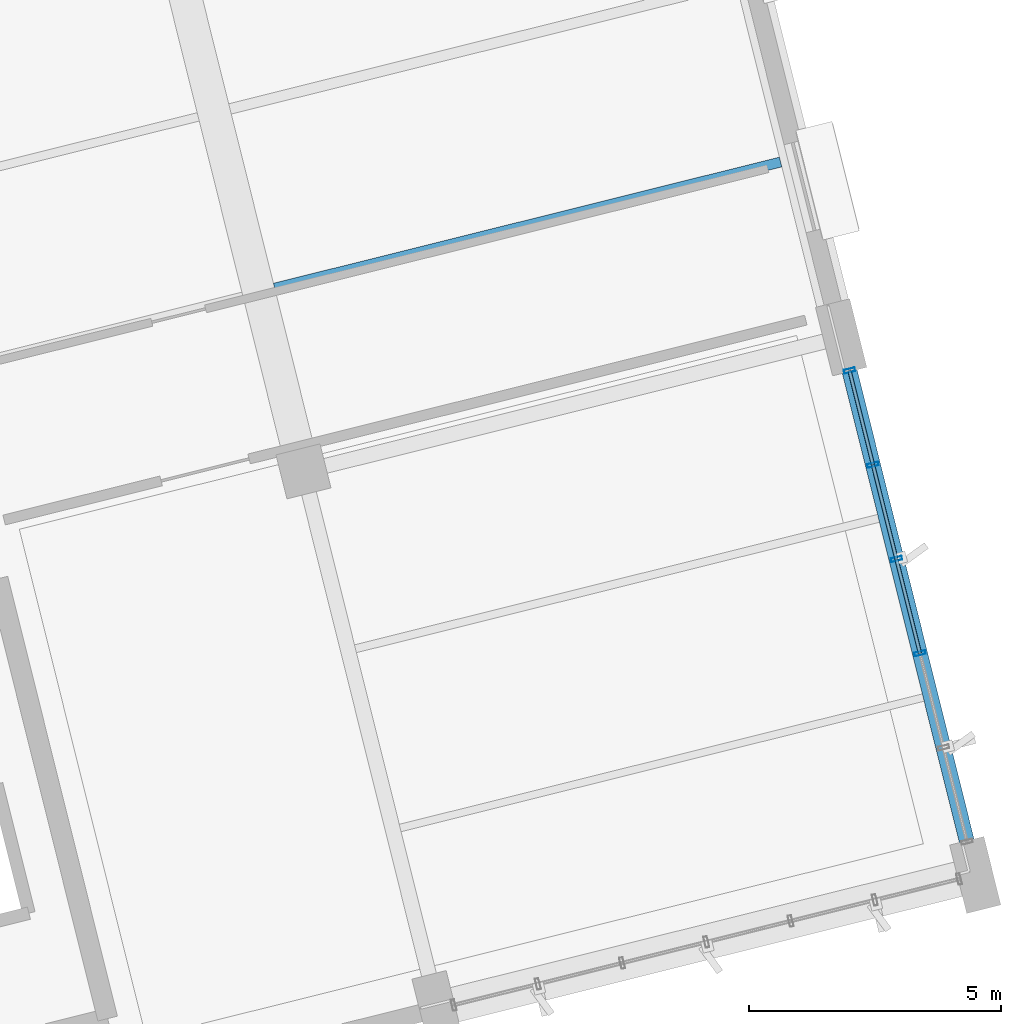
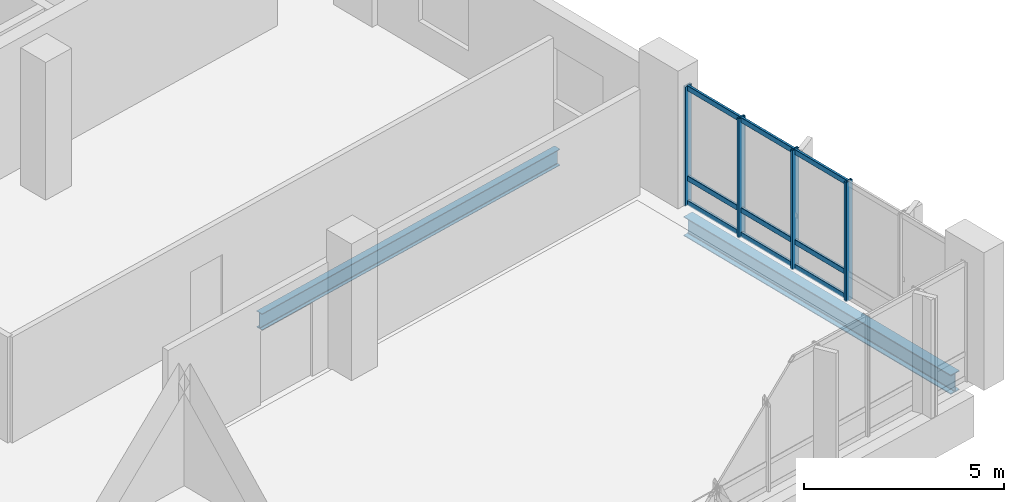
# One storey, part 12 of 22: 13 members, 2 beams, 1 element without a shape of its own.
"""IFC4 building model written with IfcOpenShell, lengths in metres."""

from ifc_helpers import new_model, si_unit, direction, frame, origin, origin_2d, place, context, subcontext, project, spatial, hollow_rectangle, i_section, extrude, material, layer, layer_set, material_profile, profile_set, type_object, element, aggregate, save


model = new_model("IFC4")

# Units and contexts
model_context = context("Model", 3, precision=1e-05, world=origin(), true_north=direction((0.0, 1.0)))
body_context = subcontext(model_context, "Body", "Model", "MODEL_VIEW")
ifc_project = project(units=[si_unit("LENGTHUNIT", "METRE"), si_unit("AREAUNIT", "SQUARE_METRE"), si_unit("VOLUMEUNIT", "CUBIC_METRE"), si_unit("PLANEANGLEUNIT", "RADIAN"), si_unit("MASSUNIT", "GRAM", prefix="KILO")], contexts=[model_context])

# Site, building, storey
site_placement = place(None, origin())
site = spatial("IfcSite", under=ifc_project, at=site_placement, CompositionType="ELEMENT")
building_placement = place(site_placement, origin())
building = spatial("IfcBuilding", under=site, at=building_placement, Name="Khorjan Park Terminus", CompositionType="ELEMENT")
storey_placement = place(building_placement, frame((0.0, 0.0, 24.6)))
storey = spatial("IfcBuildingStorey", under=building, at=storey_placement, Name="L05", CompositionType="ELEMENT", Elevation=24.6)

# Beams
ifc_material_1 = material(Name="Steel S355", Category="steel")
ifc_material_profile_1 = material_profile(ifc_material_1, i_section(OverallWidth=0.3, OverallDepth=0.59, WebThickness=0.013, FlangeThickness=0.025, FilletRadius=0.027, at=origin_2d()), Name="HEA 600")
ifc_profile_set_1 = profile_set([ifc_material_profile_1], Name="Steel S355")
beam_type_1 = type_object("IfcBeamType", Name="BM-HEA600", PredefinedType="BEAM", material=ifc_profile_set_1)
beam_1_placement = place(storey_placement, frame((229.8714, 18.6412, -0.625), z_axis=(-0.241925915978, 0.970294723874, 0.0), x_axis=(-0.970294723874, -0.241925915978, 0.0)))
element("IfcBeam", 1, at=beam_1_placement, inside=storey, type_object=beam_type_1, Name="Primary skew-grid floor girder SB-A60 (L05)", PredefinedType="BEAM", context=body_context, shape_type="SweptSolid", body=[
    extrude(i_section(OverallWidth=0.3, OverallDepth=0.59, WebThickness=0.013, FlangeThickness=0.025, FilletRadius=0.027, at=origin_2d()), origin(), (0.0, 0.0, 1.0), 9.61),
])
ifc_material_profile_2 = material_profile(ifc_material_1, i_section(OverallWidth=0.2, OverallDepth=0.5, WebThickness=0.0102, FlangeThickness=0.016, FilletRadius=0.021, at=origin_2d()), Name="IPE 500")
ifc_profile_set_2 = profile_set([ifc_material_profile_2], Name="Steel S355")
beam_type_2 = type_object("IfcBeamType", Name="JS-IPE500", PredefinedType="JOIST", material=ifc_profile_set_2)
beam_2_placement = place(storey_placement, frame((216.1334, 29.6154, -0.58), z_axis=(0.970295758058, 0.241921768128, 0.0), x_axis=(-0.241921768128, 0.970295758058, 0.0)))
element("IfcBeam", 2, at=beam_2_placement, inside=storey, type_object=beam_type_2, Name="Secondary composite floor joist SJ-50 (L05)", PredefinedType="JOIST", context=body_context, shape_type="SweptSolid", body=[
    extrude(i_section(OverallWidth=0.2, OverallDepth=0.5, WebThickness=0.0102, FlangeThickness=0.016, FilletRadius=0.021, at=origin_2d()), origin(), (0.0, 0.0, 1.0), 10.35),
])

# Curtain wall, members
ifc_material_2 = material(Name="Anodized Bronze Aluminium", Category="aluminium")
ifc_layer = layer(ifc_material_2, 0.22)
ifc_layer_set = layer_set([ifc_layer], Name="Anodized Bronze Aluminium")
curtain_wall_type = type_object("IfcCurtainWallType", Name="CW-OPS-B", PredefinedType="NOTDEFINED", material=ifc_layer_set)
curtain_wall_placement = place(storey_placement, origin())
curtain_wall = element("IfcCurtainWall", 3, at=curtain_wall_placement, inside=storey, type_object=curtain_wall_type, Name="Unitized curtain wall CW-B (CW-V5-E-L05-B01)", PredefinedType="NOTDEFINED")
ifc_material_profile_3 = material_profile(ifc_material_2, hollow_rectangle(XDim=0.075, YDim=0.225, WallThickness=0.005, InnerFilletRadius=0.005, OuterFilletRadius=0.01, at=origin_2d()), Name="ALM 75x225x5")
ifc_profile_set_3 = profile_set([ifc_material_profile_3], Name="Anodized Bronze Aluminium")
member_type_1 = type_object("IfcMemberType", Name="ML-ALM-225", PredefinedType="MULLION", material=ifc_profile_set_3)
member_1_placement = place(storey_placement, frame((228.9422, 22.3681, -0.035), z_axis=(0.0, 0.0, 1.0), x_axis=(-0.241920488516, 0.9702960771, 0.0)))
member_1 = element("IfcMember", 4, at=member_1_placement, type_object=member_type_1, Name="Curtain-wall mullion ML-22 (CW-V5-E-L05-B01-2)", PredefinedType="MULLION", context=body_context, shape_type="SweptSolid", body=[
    extrude(hollow_rectangle(XDim=0.075, YDim=0.225, WallThickness=0.005, InnerFilletRadius=0.005, OuterFilletRadius=0.01, at=origin_2d()), origin(), (0.0, 0.0, 1.0), 3.645),
])
member_2_placement = place(storey_placement, frame((228.4757, 24.2389, -0.035), z_axis=(0.0, 0.0, 1.0), x_axis=(-0.241920488516, 0.9702960771, 0.0)))
member_2 = element("IfcMember", 5, at=member_2_placement, type_object=member_type_1, Name="Curtain-wall mullion ML-22 (CW-V5-E-L05-B01-3)", PredefinedType="MULLION", context=body_context, shape_type="SweptSolid", body=[
    extrude(hollow_rectangle(XDim=0.075, YDim=0.225, WallThickness=0.005, InnerFilletRadius=0.005, OuterFilletRadius=0.01, at=origin_2d()), origin(), (0.0, 0.0, 1.0), 3.645),
])
member_3_placement = place(storey_placement, frame((228.0093, 26.1096, -0.035), z_axis=(0.0, 0.0, 1.0), x_axis=(-0.241920488516, 0.9702960771, 0.0)))
member_3 = element("IfcMember", 6, at=member_3_placement, type_object=member_type_1, Name="Curtain-wall mullion ML-22 (CW-V5-E-L05-B01-4)", PredefinedType="MULLION", context=body_context, shape_type="SweptSolid", body=[
    extrude(hollow_rectangle(XDim=0.075, YDim=0.225, WallThickness=0.005, InnerFilletRadius=0.005, OuterFilletRadius=0.01, at=origin_2d()), origin(), (0.0, 0.0, 1.0), 3.645),
])
member_4_placement = place(storey_placement, frame((227.5429, 27.9803, -0.035), z_axis=(0.0, 0.0, 1.0), x_axis=(-0.241920488516, 0.9702960771, 0.0)))
member_4 = element("IfcMember", 7, at=member_4_placement, type_object=member_type_1, Name="Curtain-wall mullion ML-22 (CW-V5-E-L05-B01-5)", PredefinedType="MULLION", context=body_context, shape_type="SweptSolid", body=[
    extrude(hollow_rectangle(XDim=0.075, YDim=0.225, WallThickness=0.005, InnerFilletRadius=0.005, OuterFilletRadius=0.01, at=origin_2d()), origin(), (0.0, 0.0, 1.0), 3.645),
])
ifc_material_profile_4 = material_profile(ifc_material_2, hollow_rectangle(XDim=0.07, YDim=0.16, WallThickness=0.004, InnerFilletRadius=0.004, OuterFilletRadius=0.008, at=origin_2d()), Name="ALT 70x160x4")
ifc_profile_set_4 = profile_set([ifc_material_profile_4], Name="Anodized Bronze Aluminium")
member_type_2 = type_object("IfcMemberType", Name="TR-ALT-160", PredefinedType="USERDEFINED", material=ifc_profile_set_4)
member_5_placement = place(storey_placement, frame((228.9422, 22.3681, 0.04), z_axis=(-0.241949812413, 0.970288765406, 0.0), x_axis=(-0.970288765406, -0.241949812413, 0.0)))
member_5 = element("IfcMember", 8, at=member_5_placement, type_object=member_type_2, Name="Curtain-wall transom TR-16 (CW-V5-E-L05-B01-2-1)", ObjectType="TRANSOM", PredefinedType="USERDEFINED", context=body_context, shape_type="SweptSolid", body=[
    extrude(hollow_rectangle(XDim=0.07, YDim=0.16, WallThickness=0.004, InnerFilletRadius=0.004, OuterFilletRadius=0.008, at=origin_2d()), origin(), (0.0, 0.0, 1.0), 1.9281),
])
member_6_placement = place(storey_placement, frame((228.9422, 22.3681, 0.786), z_axis=(-0.241949812413, 0.970288765406, 0.0), x_axis=(-0.970288765406, -0.241949812413, 0.0)))
member_6 = element("IfcMember", 9, at=member_6_placement, type_object=member_type_2, Name="Curtain-wall transom TR-16 (CW-V5-E-L05-B01-2-2)", ObjectType="TRANSOM", PredefinedType="USERDEFINED", context=body_context, shape_type="SweptSolid", body=[
    extrude(hollow_rectangle(XDim=0.07, YDim=0.16, WallThickness=0.004, InnerFilletRadius=0.004, OuterFilletRadius=0.008, at=origin_2d()), origin(), (0.0, 0.0, 1.0), 1.9281),
])
member_7_placement = place(storey_placement, frame((228.9422, 22.3681, 3.535), z_axis=(-0.241949812413, 0.970288765406, 0.0), x_axis=(-0.970288765406, -0.241949812413, 0.0)))
member_7 = element("IfcMember", 10, at=member_7_placement, type_object=member_type_2, Name="Curtain-wall transom TR-16 (CW-V5-E-L05-B01-2-3)", ObjectType="TRANSOM", PredefinedType="USERDEFINED", context=body_context, shape_type="SweptSolid", body=[
    extrude(hollow_rectangle(XDim=0.07, YDim=0.16, WallThickness=0.004, InnerFilletRadius=0.004, OuterFilletRadius=0.008, at=origin_2d()), origin(), (0.0, 0.0, 1.0), 1.9281),
])
member_8_placement = place(storey_placement, frame((228.4757, 24.2389, 0.04), z_axis=(-0.241913157049, 0.970297905, 0.0), x_axis=(-0.970297905, -0.241913157049, 0.0)))
member_8 = element("IfcMember", 11, at=member_8_placement, type_object=member_type_2, Name="Curtain-wall transom TR-16 (CW-V5-E-L05-B01-3-1)", ObjectType="TRANSOM", PredefinedType="USERDEFINED", context=body_context, shape_type="SweptSolid", body=[
    extrude(hollow_rectangle(XDim=0.07, YDim=0.16, WallThickness=0.004, InnerFilletRadius=0.004, OuterFilletRadius=0.008, at=origin_2d()), origin(), (0.0, 0.0, 1.0), 1.928),
])
member_9_placement = place(storey_placement, frame((228.4757, 24.2389, 0.786), z_axis=(-0.241913157049, 0.970297905, 0.0), x_axis=(-0.970297905, -0.241913157049, 0.0)))
member_9 = element("IfcMember", 12, at=member_9_placement, type_object=member_type_2, Name="Curtain-wall transom TR-16 (CW-V5-E-L05-B01-3-2)", ObjectType="TRANSOM", PredefinedType="USERDEFINED", context=body_context, shape_type="SweptSolid", body=[
    extrude(hollow_rectangle(XDim=0.07, YDim=0.16, WallThickness=0.004, InnerFilletRadius=0.004, OuterFilletRadius=0.008, at=origin_2d()), origin(), (0.0, 0.0, 1.0), 1.928),
])
member_10_placement = place(storey_placement, frame((228.4757, 24.2389, 3.535), z_axis=(-0.241913157049, 0.970297905, 0.0), x_axis=(-0.970297905, -0.241913157049, 0.0)))
member_10 = element("IfcMember", 13, at=member_10_placement, type_object=member_type_2, Name="Curtain-wall transom TR-16 (CW-V5-E-L05-B01-3-3)", ObjectType="TRANSOM", PredefinedType="USERDEFINED", context=body_context, shape_type="SweptSolid", body=[
    extrude(hollow_rectangle(XDim=0.07, YDim=0.16, WallThickness=0.004, InnerFilletRadius=0.004, OuterFilletRadius=0.008, at=origin_2d()), origin(), (0.0, 0.0, 1.0), 1.928),
])
member_11_placement = place(storey_placement, frame((228.0093, 26.1096, 0.04), z_axis=(-0.241913157049, 0.970297905, 0.0), x_axis=(-0.970297905, -0.241913157049, 0.0)))
member_11 = element("IfcMember", 14, at=member_11_placement, type_object=member_type_2, Name="Curtain-wall transom TR-16 (CW-V5-E-L05-B01-4-1)", ObjectType="TRANSOM", PredefinedType="USERDEFINED", context=body_context, shape_type="SweptSolid", body=[
    extrude(hollow_rectangle(XDim=0.07, YDim=0.16, WallThickness=0.004, InnerFilletRadius=0.004, OuterFilletRadius=0.008, at=origin_2d()), origin(), (0.0, 0.0, 1.0), 1.928),
])
member_12_placement = place(storey_placement, frame((228.0093, 26.1096, 0.786), z_axis=(-0.241913157049, 0.970297905, 0.0), x_axis=(-0.970297905, -0.241913157049, 0.0)))
member_12 = element("IfcMember", 15, at=member_12_placement, type_object=member_type_2, Name="Curtain-wall transom TR-16 (CW-V5-E-L05-B01-4-2)", ObjectType="TRANSOM", PredefinedType="USERDEFINED", context=body_context, shape_type="SweptSolid", body=[
    extrude(hollow_rectangle(XDim=0.07, YDim=0.16, WallThickness=0.004, InnerFilletRadius=0.004, OuterFilletRadius=0.008, at=origin_2d()), origin(), (0.0, 0.0, 1.0), 1.928),
])
member_13_placement = place(storey_placement, frame((228.0093, 26.1096, 3.535), z_axis=(-0.241913157049, 0.970297905, 0.0), x_axis=(-0.970297905, -0.241913157049, 0.0)))
member_13 = element("IfcMember", 16, at=member_13_placement, type_object=member_type_2, Name="Curtain-wall transom TR-16 (CW-V5-E-L05-B01-4-3)", ObjectType="TRANSOM", PredefinedType="USERDEFINED", context=body_context, shape_type="SweptSolid", body=[
    extrude(hollow_rectangle(XDim=0.07, YDim=0.16, WallThickness=0.004, InnerFilletRadius=0.004, OuterFilletRadius=0.008, at=origin_2d()), origin(), (0.0, 0.0, 1.0), 1.928),
])
aggregate(curtain_wall, [member_1, member_2, member_3, member_4, member_5, member_6, member_7, member_8, member_9, member_10, member_11, member_12, member_13])

save(model, "model.ifc")
